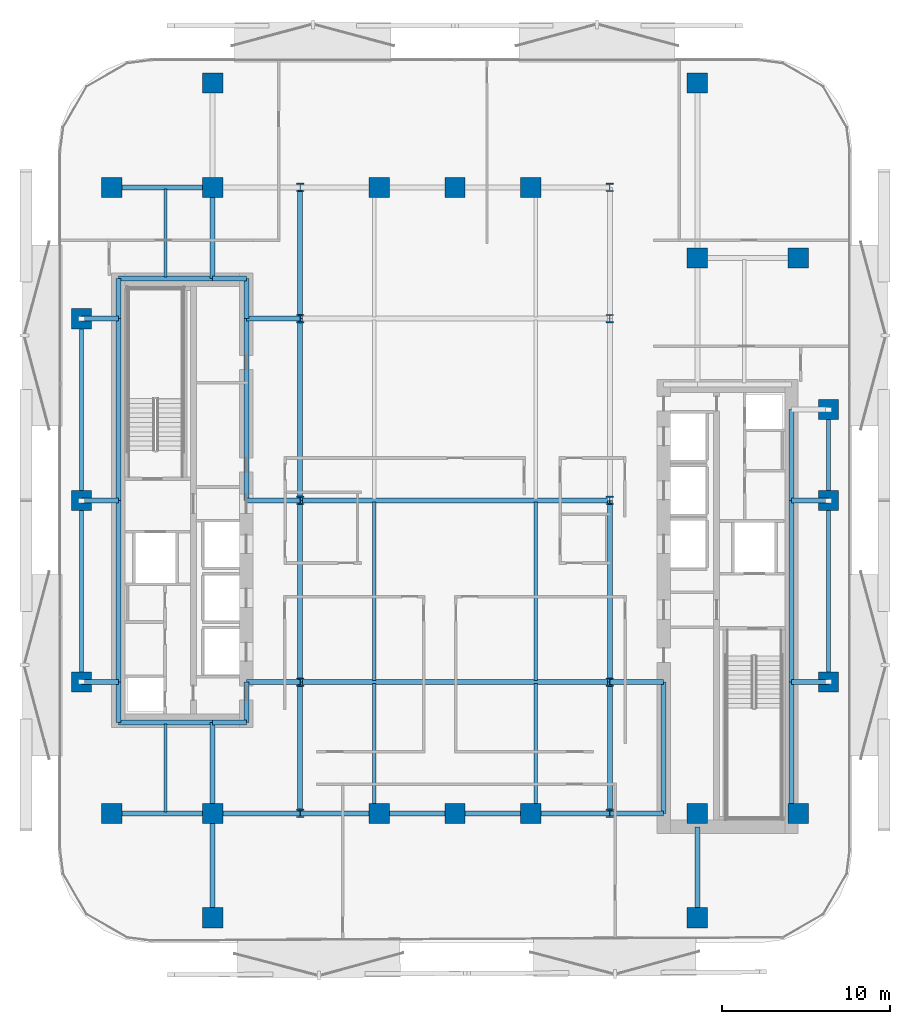
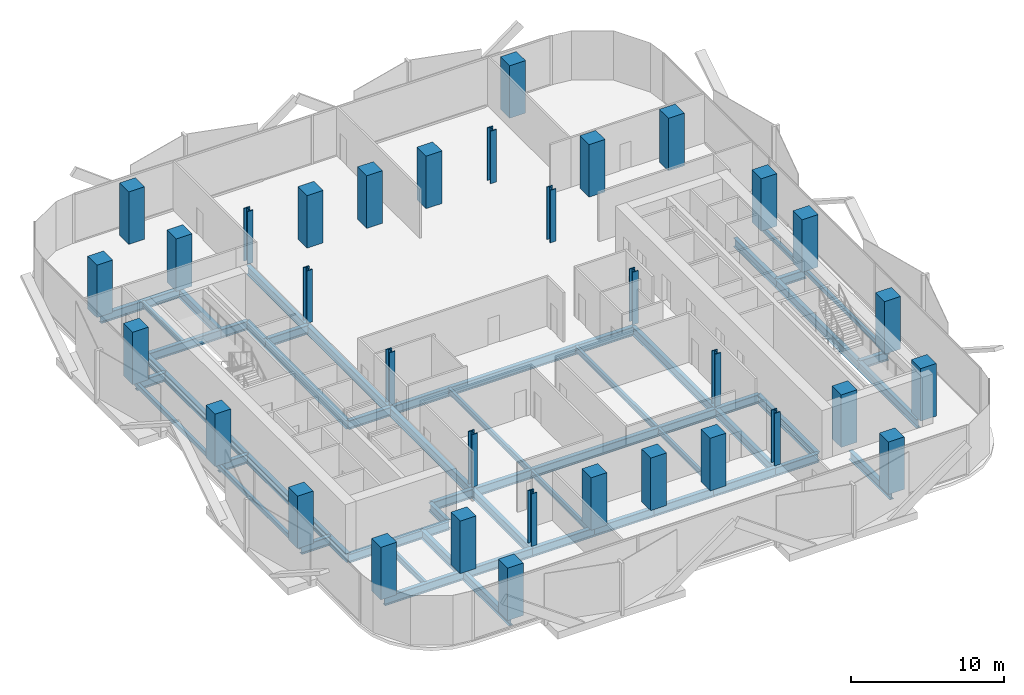
# One storey, part 1 of 15: 54 beams, 34 columns.
"""IFC4 building model written with IfcOpenShell, lengths in metres."""

from ifc_helpers import new_model, si_unit, direction, frame, origin, origin_2d, place, context, subcontext, project, spatial, rectangle, hollow_rectangle, i_section, extrude, material, material_profile, profile_set, type_object, element, save


model = new_model("IFC4")

# Units and contexts
model_context = context("Model", 3, precision=1e-05, world=origin(), true_north=direction((0.0, 1.0)))
body_context = subcontext(model_context, "Body", "Model", "MODEL_VIEW")
ifc_project = project(units=[si_unit("LENGTHUNIT", "METRE"), si_unit("AREAUNIT", "SQUARE_METRE"), si_unit("VOLUMEUNIT", "CUBIC_METRE"), si_unit("PLANEANGLEUNIT", "RADIAN"), si_unit("MASSUNIT", "GRAM", prefix="KILO")], contexts=[model_context])

# Site, building, storey
site_placement = place(None, origin())
site = spatial("IfcSite", under=ifc_project, at=site_placement, CompositionType="ELEMENT")
building_placement = place(site_placement, origin())
building = spatial("IfcBuilding", under=site, at=building_placement, Name="Khairoan Windgate Tower", CompositionType="ELEMENT")
storey_placement = place(building_placement, frame((0.0, 0.0, 126.800048828125)))
storey = spatial("IfcBuildingStorey", under=building, at=storey_placement, Name="L29", CompositionType="ELEMENT", Elevation=126.800048828125)

# Columns
ifc_material_1 = material(Name="Concrete C60/75", Category="concrete")
ifc_material_profile_1 = material_profile(ifc_material_1, rectangle(XDim=1.199951171875, YDim=1.199951171875, at=origin_2d()))
ifc_profile_set_1 = profile_set([ifc_material_profile_1], Name="Concrete C60/75")
column_type_1 = type_object("IfcColumnType", Name="Column C-T3 RC1200x1200", PredefinedType="COLUMN", material=ifc_profile_set_1)
for number, where, z_axis, x_axis, name in (
    (1, (-20.39990234375, -18.60009765625, 0.0), (0.0, 0.0, 1.0), (1.0, 0.0, 0.0), "Column L29-11"),
    (2, (-20.39990234375, 18.60009765625, 0.0), (0.0, 0.0, 1.0), (1.0, 0.0, 0.0), "Column L29-12"),
    (3, (20.39990234375, -18.60009765625, 0.0), (0.0, 0.0, 1.0), (1.0, 0.0, 0.0), "Column L29-13"),
    (4, (20.39990234375, 14.39990234375, 0.0), (0.0, 0.0, 1.0), (1.0, 0.0, 0.0), "Column L29-14"),
    (5, (-14.39990234375, -18.60009765625, 0.0), (0.0, 0.0, 1.0), (1.0, 0.0, 0.0), "Column L29-15"),
    (6, (-14.39990234375, 18.60009765625, 0.0), (0.0, 0.0, 1.0), (1.0, 0.0, 0.0), "Column L29-16"),
    (7, (14.39990234375, -18.60009765625, 0.0), (0.0, 0.0, 1.0), (1.0, 0.0, 0.0), "Column L29-17"),
    (8, (14.39990234375, 14.39990234375, 0.0), (0.0, 0.0, 1.0), (1.0, 0.0, 0.0), "Column L29-18"),
    (9, (-4.5, -18.60009765625, 0.0), (0.0, 0.0, 1.0), (1.0, 0.0, 0.0), "Column L29-19"),
    (10, (0.0, -18.60009765625, 0.0), (0.0, 0.0, 1.0), (1.0, 0.0, 0.0), "Column L29-20"),
    (11, (4.5, -18.60009765625, 0.0), (0.0, 0.0, 1.0), (1.0, 0.0, 0.0), "Column L29-21"),
    (12, (-4.5, 18.60009765625, 0.0), (0.0, 0.0, 1.0), (1.0, 0.0, 0.0), "Column L29-22"),
    (13, (0.0, 18.60009765625, 0.0), (0.0, 0.0, 1.0), (1.0, 0.0, 0.0), "Column L29-23"),
    (14, (4.5, 18.60009765625, 0.0), (0.0, 0.0, 1.0), (1.0, 0.0, 0.0), "Column L29-24"),
    (15, (-22.199951171875, -10.800048828125, 0.0), (0.0, 0.0, 1.0), (1.0, 0.0, 0.0), "Column L29-25"),
    (16, (-22.199951171875, 0.0, 0.0), (0.0, 0.0, 1.0), (1.0, 0.0, 0.0), "Column L29-26"),
    (17, (-22.199951171875, 10.800048828125, 0.0), (0.0, 0.0, 1.0), (1.0, 0.0, 0.0), "Column L29-27"),
    (18, (22.199951171875, -10.800048828125, 0.0), (0.0, 0.0, 1.0), (1.0, 0.0, 0.0), "Column L29-28"),
    (19, (22.199951171875, 0.0, 0.0), (0.0, 0.0, 1.0), (1.0, 0.0, 0.0), "Column L29-29"),
    (20, (22.199951171875, 5.39990234375, 0.0), (0.0, 0.0, 1.0), (1.0, 0.0, 0.0), "Column L29-30"),
    (21, (-14.39990234375, -24.800048828125, 0.0), (0.0, 0.0, 1.0), (1.0, 0.0, 0.0), "Column L29-31"),
    (22, (-14.39990234375, 24.800048828125, 0.0), (0.0, 0.0, 1.0), (1.0, 0.0, 0.0), "Column L29-32"),
    (23, (14.39990234375, -24.800048828125, 0.0), (0.0, 0.0, 1.0), (1.0, 0.0, 0.0), "Column L29-33"),
    (24, (14.39990234375, 24.800048828125, 0.0), (0.0, 0.0, 1.0), (1.0, 0.0, 0.0), "Column L29-34"),
):
    element("IfcColumn", number, at=place(storey_placement, frame(where, z_axis=z_axis, x_axis=x_axis)), inside=storey, type_object=column_type_1, Name=name, PredefinedType="COLUMN", context=body_context, shape_type="SweptSolid", body=[
        extrude(rectangle(XDim=1.199951171875, YDim=1.199951171875, at=origin_2d()), origin(), (0.0, 0.0, 1.0), 4.199951171875),
    ])
ifc_material_2 = material(Name="Steel S355", Category="steel")
ifc_material_profile_2 = material_profile(ifc_material_2, i_section(OverallWidth=0.431884765625, OverallDepth=0.498046875, WebThickness=0.044921875, FlangeThickness=0.070068359375, FilletRadius=0.02197265625, at=origin_2d()))
ifc_profile_set_2 = profile_set([ifc_material_profile_2], Name="Steel S355")
column_type_2 = type_object("IfcColumnType", Name="Steel Column SC1 H498x432x45x70", PredefinedType="COLUMN", material=ifc_profile_set_2)
for number, where, z_axis, x_axis, name in (
    (25, (-9.199951171875, -18.60009765625, 0.0), (0.0, 0.0, 1.0), (1.0, 0.0, 0.0), "Column L29-01"),
    (26, (-9.199951171875, -10.800048828125, 0.0), (0.0, 0.0, 1.0), (1.0, 0.0, 0.0), "Column L29-02"),
    (27, (-9.199951171875, 0.0, 0.0), (0.0, 0.0, 1.0), (1.0, 0.0, 0.0), "Column L29-03"),
    (28, (-9.199951171875, 10.800048828125, 0.0), (0.0, 0.0, 1.0), (1.0, 0.0, 0.0), "Column L29-04"),
    (29, (-9.199951171875, 18.60009765625, 0.0), (0.0, 0.0, 1.0), (1.0, 0.0, 0.0), "Column L29-05"),
    (30, (9.199951171875, -18.60009765625, 0.0), (0.0, 0.0, 1.0), (1.0, 0.0, 0.0), "Column L29-06"),
    (31, (9.199951171875, -10.800048828125, 0.0), (0.0, 0.0, 1.0), (1.0, 0.0, 0.0), "Column L29-07"),
    (32, (9.199951171875, 0.0, 0.0), (0.0, 0.0, 1.0), (1.0, 0.0, 0.0), "Column L29-08"),
    (33, (9.199951171875, 10.800048828125, 0.0), (0.0, 0.0, 1.0), (1.0, 0.0, 0.0), "Column L29-09"),
    (34, (9.199951171875, 18.60009765625, 0.0), (0.0, 0.0, 1.0), (1.0, 0.0, 0.0), "Column L29-10"),
):
    element("IfcColumn", number, at=place(storey_placement, frame(where, z_axis=z_axis, x_axis=x_axis)), inside=storey, type_object=column_type_2, Name=name, PredefinedType="COLUMN", context=body_context, shape_type="SweptSolid", body=[
        extrude(i_section(OverallWidth=0.431884765625, OverallDepth=0.498046875, WebThickness=0.044921875, FlangeThickness=0.070068359375, FilletRadius=0.02197265625, at=origin_2d()), origin(), (0.0, 0.0, 1.0), 4.199951171875),
    ])

# Beams
ifc_material_3 = material(Name="Steel S355", Category="steel")
ifc_material_profile_3 = material_profile(ifc_material_3, i_section(OverallWidth=0.300048828125, OverallDepth=0.699951171875, WebThickness=0.012939453125, FlangeThickness=0.02392578125, FilletRadius=0.02587890625, at=origin_2d()))
ifc_profile_set_3 = profile_set([ifc_material_profile_3], Name="Steel S355")
beam_type_1 = type_object("IfcBeamType", Name="Beam B-G3 H700x300x13x24", PredefinedType="BEAM", material=ifc_profile_set_3)
beam_1_placement = place(storey_placement, frame((-20.39990234375, -18.60009765625, -0.610107421875), z_axis=(1.0, 0.0, 0.0), x_axis=(0.0, 1.0, 0.0)))
element("IfcBeam", 35, at=beam_1_placement, inside=storey, type_object=beam_type_1, Name="L29 E-W Primary Girder 01", PredefinedType="BEAM", context=body_context, shape_type="SweptSolid", body=[
    extrude(i_section(OverallWidth=0.300048828125, OverallDepth=0.699951171875, WebThickness=0.012939453125, FlangeThickness=0.02392578125, FilletRadius=0.02587890625, at=origin_2d()), origin(), (0.0, 0.0, 1.0), 6.0),
])
beam_2_placement = place(storey_placement, frame((-14.39990234375, -18.60009765625, -0.610107421875), z_axis=(1.0, 0.0, 0.0), x_axis=(0.0, 1.0, 0.0)))
element("IfcBeam", 36, at=beam_2_placement, inside=storey, type_object=beam_type_1, Name="L29 E-W Primary Girder 02", PredefinedType="BEAM", context=body_context, shape_type="SweptSolid", body=[
    extrude(i_section(OverallWidth=0.300048828125, OverallDepth=0.699951171875, WebThickness=0.012939453125, FlangeThickness=0.02392578125, FilletRadius=0.02587890625, at=origin_2d()), origin(), (0.0, 0.0, 1.0), 5.199951171875),
])
beam_3_placement = place(storey_placement, frame((-9.199951171875, -18.60009765625, -0.610107421875), z_axis=(1.0, 0.0, 0.0), x_axis=(0.0, 1.0, 0.0)))
element("IfcBeam", 37, at=beam_3_placement, inside=storey, type_object=beam_type_1, Name="L29 E-W Primary Girder 03", PredefinedType="BEAM", context=body_context, shape_type="SweptSolid", body=[
    extrude(i_section(OverallWidth=0.300048828125, OverallDepth=0.699951171875, WebThickness=0.012939453125, FlangeThickness=0.02392578125, FilletRadius=0.02587890625, at=origin_2d()), origin(), (0.0, 0.0, 1.0), 4.699951171875),
])
for number, where, z_axis, x_axis, name in (
    (38, (-4.5, -18.60009765625, -0.610107421875), (1.0, 0.0, 0.0), (0.0, 1.0, 0.0), "L29 E-W Primary Girder 04"),
    (39, (0.0, -18.60009765625, -0.610107421875), (1.0, 0.0, 0.0), (0.0, 1.0, 0.0), "L29 E-W Primary Girder 05"),
):
    element("IfcBeam", number, at=place(storey_placement, frame(where, z_axis=z_axis, x_axis=x_axis)), inside=storey, type_object=beam_type_1, Name=name, PredefinedType="BEAM", context=body_context, shape_type="SweptSolid", body=[
        extrude(i_section(OverallWidth=0.300048828125, OverallDepth=0.699951171875, WebThickness=0.012939453125, FlangeThickness=0.02392578125, FilletRadius=0.02587890625, at=origin_2d()), origin(), (0.0, 0.0, 1.0), 4.5),
    ])
beam_4_placement = place(storey_placement, frame((4.5, -18.60009765625, -0.610107421875), z_axis=(1.0, 0.0, 0.0), x_axis=(0.0, 1.0, 0.0)))
element("IfcBeam", 40, at=beam_4_placement, inside=storey, type_object=beam_type_1, Name="L29 E-W Primary Girder 06", PredefinedType="BEAM", context=body_context, shape_type="SweptSolid", body=[
    extrude(i_section(OverallWidth=0.300048828125, OverallDepth=0.699951171875, WebThickness=0.012939453125, FlangeThickness=0.02392578125, FilletRadius=0.02587890625, at=origin_2d()), origin(), (0.0, 0.0, 1.0), 4.699951171875),
])
beam_5_placement = place(storey_placement, frame((9.199951171875, -18.60009765625, -0.610107421875), z_axis=(1.0, 0.0, 0.0), x_axis=(0.0, 1.0, 0.0)))
element("IfcBeam", 41, at=beam_5_placement, inside=storey, type_object=beam_type_1, Name="L29 E-W Primary Girder 07", PredefinedType="BEAM", context=body_context, shape_type="SweptSolid", body=[
    extrude(i_section(OverallWidth=0.300048828125, OverallDepth=0.699951171875, WebThickness=0.012939453125, FlangeThickness=0.02392578125, FilletRadius=0.02587890625, at=origin_2d()), origin(), (0.0, 0.0, 1.0), 3.199951171875),
])
beam_6_placement = place(storey_placement, frame((-20.0, -13.199951171875, -0.610107421875), z_axis=(1.0, 0.0, 0.0), x_axis=(0.0, 1.0, 0.0)))
element("IfcBeam", 42, at=beam_6_placement, inside=storey, type_object=beam_type_1, Name="L29 E-W Primary Girder 08", PredefinedType="BEAM", context=body_context, shape_type="SweptSolid", body=[
    extrude(i_section(OverallWidth=0.300048828125, OverallDepth=0.699951171875, WebThickness=0.012939453125, FlangeThickness=0.02392578125, FilletRadius=0.02587890625, at=origin_2d()), origin(), (0.0, 0.0, 1.0), 5.60009765625),
])
beam_7_placement = place(storey_placement, frame((-14.39990234375, -13.199951171875, -0.610107421875), z_axis=(1.0, 0.0, 0.0), x_axis=(0.0, 1.0, 0.0)))
element("IfcBeam", 43, at=beam_7_placement, inside=storey, type_object=beam_type_1, Name="L29 E-W Primary Girder 09", PredefinedType="BEAM", context=body_context, shape_type="SweptSolid", body=[
    extrude(i_section(OverallWidth=0.300048828125, OverallDepth=0.699951171875, WebThickness=0.012939453125, FlangeThickness=0.02392578125, FilletRadius=0.02587890625, at=origin_2d()), origin(), (0.0, 0.0, 1.0), 2.0),
])
beam_8_placement = place(storey_placement, frame((-22.199951171875, -10.800048828125, -0.610107421875), z_axis=(1.0, 0.0, 0.0), x_axis=(0.0, 1.0, 0.0)))
element("IfcBeam", 44, at=beam_8_placement, inside=storey, type_object=beam_type_1, Name="L29 E-W Primary Girder 10", PredefinedType="BEAM", context=body_context, shape_type="SweptSolid", body=[
    extrude(i_section(OverallWidth=0.300048828125, OverallDepth=0.699951171875, WebThickness=0.012939453125, FlangeThickness=0.02392578125, FilletRadius=0.02587890625, at=origin_2d()), origin(), (0.0, 0.0, 1.0), 2.199951171875),
])
beam_9_placement = place(storey_placement, frame((-12.39990234375, -10.800048828125, -0.610107421875), z_axis=(1.0, 0.0, 0.0), x_axis=(0.0, 1.0, 0.0)))
element("IfcBeam", 45, at=beam_9_placement, inside=storey, type_object=beam_type_1, Name="L29 E-W Primary Girder 11", PredefinedType="BEAM", context=body_context, shape_type="SweptSolid", body=[
    extrude(i_section(OverallWidth=0.300048828125, OverallDepth=0.699951171875, WebThickness=0.012939453125, FlangeThickness=0.02392578125, FilletRadius=0.02587890625, at=origin_2d()), origin(), (0.0, 0.0, 1.0), 3.199951171875),
])
beam_10_placement = place(storey_placement, frame((-9.199951171875, -10.800048828125, -0.610107421875), z_axis=(1.0, 0.0, 0.0), x_axis=(0.0, 1.0, 0.0)))
element("IfcBeam", 46, at=beam_10_placement, inside=storey, type_object=beam_type_1, Name="L29 E-W Primary Girder 12", PredefinedType="BEAM", context=body_context, shape_type="SweptSolid", body=[
    extrude(i_section(OverallWidth=0.300048828125, OverallDepth=0.699951171875, WebThickness=0.012939453125, FlangeThickness=0.02392578125, FilletRadius=0.02587890625, at=origin_2d()), origin(), (0.0, 0.0, 1.0), 18.39990234375),
])
beam_11_placement = place(storey_placement, frame((9.199951171875, -10.800048828125, -0.610107421875), z_axis=(1.0, 0.0, 0.0), x_axis=(0.0, 1.0, 0.0)))
element("IfcBeam", 47, at=beam_11_placement, inside=storey, type_object=beam_type_1, Name="L29 E-W Primary Girder 13", PredefinedType="BEAM", context=body_context, shape_type="SweptSolid", body=[
    extrude(i_section(OverallWidth=0.300048828125, OverallDepth=0.699951171875, WebThickness=0.012939453125, FlangeThickness=0.02392578125, FilletRadius=0.02587890625, at=origin_2d()), origin(), (0.0, 0.0, 1.0), 3.199951171875),
])
for number, where, z_axis, x_axis, name in (
    (48, (20.0, -10.800048828125, -0.610107421875), (1.0, 0.0, 0.0), (0.0, 1.0, 0.0), "L29 E-W Primary Girder 14"),
    (49, (-22.199951171875, 0.0, -0.610107421875), (1.0, 0.0, 0.0), (0.0, 1.0, 0.0), "L29 E-W Primary Girder 15"),
):
    element("IfcBeam", number, at=place(storey_placement, frame(where, z_axis=z_axis, x_axis=x_axis)), inside=storey, type_object=beam_type_1, Name=name, PredefinedType="BEAM", context=body_context, shape_type="SweptSolid", body=[
        extrude(i_section(OverallWidth=0.300048828125, OverallDepth=0.699951171875, WebThickness=0.012939453125, FlangeThickness=0.02392578125, FilletRadius=0.02587890625, at=origin_2d()), origin(), (0.0, 0.0, 1.0), 2.199951171875),
    ])
beam_12_placement = place(storey_placement, frame((-12.39990234375, 0.0, -0.610107421875), z_axis=(1.0, 0.0, 0.0), x_axis=(0.0, 1.0, 0.0)))
element("IfcBeam", 50, at=beam_12_placement, inside=storey, type_object=beam_type_1, Name="L29 E-W Primary Girder 16", PredefinedType="BEAM", context=body_context, shape_type="SweptSolid", body=[
    extrude(i_section(OverallWidth=0.300048828125, OverallDepth=0.699951171875, WebThickness=0.012939453125, FlangeThickness=0.02392578125, FilletRadius=0.02587890625, at=origin_2d()), origin(), (0.0, 0.0, 1.0), 3.199951171875),
])
beam_13_placement = place(storey_placement, frame((-9.199951171875, 0.0, -0.610107421875), z_axis=(1.0, 0.0, 0.0), x_axis=(0.0, 1.0, 0.0)))
element("IfcBeam", 51, at=beam_13_placement, inside=storey, type_object=beam_type_1, Name="L29 E-W Primary Girder 17", PredefinedType="BEAM", context=body_context, shape_type="SweptSolid", body=[
    extrude(i_section(OverallWidth=0.300048828125, OverallDepth=0.699951171875, WebThickness=0.012939453125, FlangeThickness=0.02392578125, FilletRadius=0.02587890625, at=origin_2d()), origin(), (0.0, 0.0, 1.0), 18.39990234375),
])
for number, where, z_axis, x_axis, name in (
    (52, (20.0, 0.0, -0.610107421875), (1.0, 0.0, 0.0), (0.0, 1.0, 0.0), "L29 E-W Primary Girder 18"),
    (53, (-22.199951171875, 10.800048828125, -0.610107421875), (1.0, 0.0, 0.0), (0.0, 1.0, 0.0), "L29 E-W Primary Girder 22"),
):
    element("IfcBeam", number, at=place(storey_placement, frame(where, z_axis=z_axis, x_axis=x_axis)), inside=storey, type_object=beam_type_1, Name=name, PredefinedType="BEAM", context=body_context, shape_type="SweptSolid", body=[
        extrude(i_section(OverallWidth=0.300048828125, OverallDepth=0.699951171875, WebThickness=0.012939453125, FlangeThickness=0.02392578125, FilletRadius=0.02587890625, at=origin_2d()), origin(), (0.0, 0.0, 1.0), 2.199951171875),
    ])
beam_14_placement = place(storey_placement, frame((-12.39990234375, 10.800048828125, -0.610107421875), z_axis=(1.0, 0.0, 0.0), x_axis=(0.0, 1.0, 0.0)))
element("IfcBeam", 54, at=beam_14_placement, inside=storey, type_object=beam_type_1, Name="L29 E-W Primary Girder 23", PredefinedType="BEAM", context=body_context, shape_type="SweptSolid", body=[
    extrude(i_section(OverallWidth=0.300048828125, OverallDepth=0.699951171875, WebThickness=0.012939453125, FlangeThickness=0.02392578125, FilletRadius=0.02587890625, at=origin_2d()), origin(), (0.0, 0.0, 1.0), 3.199951171875),
])
beam_15_placement = place(storey_placement, frame((-20.0, 13.199951171875, -0.610107421875), z_axis=(1.0, 0.0, 0.0), x_axis=(0.0, 1.0, 0.0)))
element("IfcBeam", 55, at=beam_15_placement, inside=storey, type_object=beam_type_1, Name="L29 E-W Primary Girder 25", PredefinedType="BEAM", context=body_context, shape_type="SweptSolid", body=[
    extrude(i_section(OverallWidth=0.300048828125, OverallDepth=0.699951171875, WebThickness=0.012939453125, FlangeThickness=0.02392578125, FilletRadius=0.02587890625, at=origin_2d()), origin(), (0.0, 0.0, 1.0), 5.60009765625),
])
beam_16_placement = place(storey_placement, frame((-14.39990234375, 13.199951171875, -0.610107421875), z_axis=(1.0, 0.0, 0.0), x_axis=(0.0, 1.0, 0.0)))
element("IfcBeam", 56, at=beam_16_placement, inside=storey, type_object=beam_type_1, Name="L29 E-W Primary Girder 26", PredefinedType="BEAM", context=body_context, shape_type="SweptSolid", body=[
    extrude(i_section(OverallWidth=0.300048828125, OverallDepth=0.699951171875, WebThickness=0.012939453125, FlangeThickness=0.02392578125, FilletRadius=0.02587890625, at=origin_2d()), origin(), (0.0, 0.0, 1.0), 2.0),
])
beam_17_placement = place(storey_placement, frame((-20.39990234375, 18.60009765625, -0.610107421875), z_axis=(1.0, 0.0, 0.0), x_axis=(0.0, 1.0, 0.0)))
element("IfcBeam", 57, at=beam_17_placement, inside=storey, type_object=beam_type_1, Name="L29 E-W Primary Girder 28", PredefinedType="BEAM", context=body_context, shape_type="SweptSolid", body=[
    extrude(i_section(OverallWidth=0.300048828125, OverallDepth=0.699951171875, WebThickness=0.012939453125, FlangeThickness=0.02392578125, FilletRadius=0.02587890625, at=origin_2d()), origin(), (0.0, 0.0, 1.0), 6.0),
])
beam_18_placement = place(storey_placement, frame((-20.0, -13.199951171875, -0.610107421875), z_axis=(0.0, 1.0, 0.0), x_axis=(-1.0, 0.0, 0.0)))
element("IfcBeam", 58, at=beam_18_placement, inside=storey, type_object=beam_type_1, Name="L29 N-S Primary Beam 36", PredefinedType="BEAM", context=body_context, shape_type="SweptSolid", body=[
    extrude(i_section(OverallWidth=0.300048828125, OverallDepth=0.699951171875, WebThickness=0.012939453125, FlangeThickness=0.02392578125, FilletRadius=0.02587890625, at=origin_2d()), origin(), (0.0, 0.0, 1.0), 2.39990234375),
])
for number, where, z_axis, x_axis, name in (
    (59, (-20.0, -10.800048828125, -0.610107421875), (0.0, 1.0, 0.0), (-1.0, 0.0, 0.0), "L29 N-S Primary Beam 37"),
    (60, (-20.0, 0.0, -0.610107421875), (0.0, 1.0, 0.0), (-1.0, 0.0, 0.0), "L29 N-S Primary Beam 38"),
):
    element("IfcBeam", number, at=place(storey_placement, frame(where, z_axis=z_axis, x_axis=x_axis)), inside=storey, type_object=beam_type_1, Name=name, PredefinedType="BEAM", context=body_context, shape_type="SweptSolid", body=[
        extrude(i_section(OverallWidth=0.300048828125, OverallDepth=0.699951171875, WebThickness=0.012939453125, FlangeThickness=0.02392578125, FilletRadius=0.02587890625, at=origin_2d()), origin(), (0.0, 0.0, 1.0), 10.800048828125),
    ])
beam_19_placement = place(storey_placement, frame((-20.0, 10.800048828125, -0.610107421875), z_axis=(0.0, 1.0, 0.0), x_axis=(-1.0, 0.0, 0.0)))
element("IfcBeam", 61, at=beam_19_placement, inside=storey, type_object=beam_type_1, Name="L29 N-S Primary Beam 39", PredefinedType="BEAM", context=body_context, shape_type="SweptSolid", body=[
    extrude(i_section(OverallWidth=0.300048828125, OverallDepth=0.699951171875, WebThickness=0.012939453125, FlangeThickness=0.02392578125, FilletRadius=0.02587890625, at=origin_2d()), origin(), (0.0, 0.0, 1.0), 2.39990234375),
])
beam_20_placement = place(storey_placement, frame((-14.39990234375, -24.800048828125, -0.610107421875), z_axis=(0.0, 1.0, 0.0), x_axis=(-1.0, 0.0, 0.0)))
element("IfcBeam", 62, at=beam_20_placement, inside=storey, type_object=beam_type_1, Name="L29 N-S Primary Beam 40", PredefinedType="BEAM", context=body_context, shape_type="SweptSolid", body=[
    extrude(i_section(OverallWidth=0.300048828125, OverallDepth=0.699951171875, WebThickness=0.012939453125, FlangeThickness=0.02392578125, FilletRadius=0.02587890625, at=origin_2d()), origin(), (0.0, 0.0, 1.0), 6.199951171875),
])
for number, where, z_axis, x_axis, name in (
    (63, (-14.39990234375, -18.60009765625, -0.610107421875), (0.0, 1.0, 0.0), (-1.0, 0.0, 0.0), "L29 N-S Primary Beam 41"),
    (64, (-14.39990234375, 13.199951171875, -0.610107421875), (0.0, 1.0, 0.0), (-1.0, 0.0, 0.0), "L29 N-S Primary Beam 42"),
):
    element("IfcBeam", number, at=place(storey_placement, frame(where, z_axis=z_axis, x_axis=x_axis)), inside=storey, type_object=beam_type_1, Name=name, PredefinedType="BEAM", context=body_context, shape_type="SweptSolid", body=[
        extrude(i_section(OverallWidth=0.300048828125, OverallDepth=0.699951171875, WebThickness=0.012939453125, FlangeThickness=0.02392578125, FilletRadius=0.02587890625, at=origin_2d()), origin(), (0.0, 0.0, 1.0), 5.400146484375),
    ])
beam_21_placement = place(storey_placement, frame((-12.39990234375, -13.199951171875, -0.610107421875), z_axis=(0.0, 1.0, 0.0), x_axis=(-1.0, 0.0, 0.0)))
element("IfcBeam", 65, at=beam_21_placement, inside=storey, type_object=beam_type_1, Name="L29 N-S Primary Beam 44", PredefinedType="BEAM", context=body_context, shape_type="SweptSolid", body=[
    extrude(i_section(OverallWidth=0.300048828125, OverallDepth=0.699951171875, WebThickness=0.012939453125, FlangeThickness=0.02392578125, FilletRadius=0.02587890625, at=origin_2d()), origin(), (0.0, 0.0, 1.0), 2.39990234375),
])
beam_22_placement = place(storey_placement, frame((-12.39990234375, 0.0, -0.610107421875), z_axis=(0.0, 1.0, 0.0), x_axis=(-1.0, 0.0, 0.0)))
element("IfcBeam", 66, at=beam_22_placement, inside=storey, type_object=beam_type_1, Name="L29 N-S Primary Beam 45", PredefinedType="BEAM", context=body_context, shape_type="SweptSolid", body=[
    extrude(i_section(OverallWidth=0.300048828125, OverallDepth=0.699951171875, WebThickness=0.012939453125, FlangeThickness=0.02392578125, FilletRadius=0.02587890625, at=origin_2d()), origin(), (0.0, 0.0, 1.0), 10.800048828125),
])
beam_23_placement = place(storey_placement, frame((-12.39990234375, 10.800048828125, -0.610107421875), z_axis=(0.0, 1.0, 0.0), x_axis=(-1.0, 0.0, 0.0)))
element("IfcBeam", 67, at=beam_23_placement, inside=storey, type_object=beam_type_1, Name="L29 N-S Primary Beam 46", PredefinedType="BEAM", context=body_context, shape_type="SweptSolid", body=[
    extrude(i_section(OverallWidth=0.300048828125, OverallDepth=0.699951171875, WebThickness=0.012939453125, FlangeThickness=0.02392578125, FilletRadius=0.02587890625, at=origin_2d()), origin(), (0.0, 0.0, 1.0), 2.39990234375),
])
beam_24_placement = place(storey_placement, frame((-9.199951171875, -18.60009765625, -0.610107421875), z_axis=(0.0, 1.0, 0.0), x_axis=(-1.0, 0.0, 0.0)))
element("IfcBeam", 68, at=beam_24_placement, inside=storey, type_object=beam_type_1, Name="L29 N-S Primary Beam 47", PredefinedType="BEAM", context=body_context, shape_type="SweptSolid", body=[
    extrude(i_section(OverallWidth=0.300048828125, OverallDepth=0.699951171875, WebThickness=0.012939453125, FlangeThickness=0.02392578125, FilletRadius=0.02587890625, at=origin_2d()), origin(), (0.0, 0.0, 1.0), 7.800048828125),
])
for number, where, z_axis, x_axis, name in (
    (69, (-9.199951171875, -10.800048828125, -0.610107421875), (0.0, 1.0, 0.0), (-1.0, 0.0, 0.0), "L29 N-S Primary Beam 48"),
    (70, (-9.199951171875, 0.0, -0.610107421875), (0.0, 1.0, 0.0), (-1.0, 0.0, 0.0), "L29 N-S Primary Beam 49"),
):
    element("IfcBeam", number, at=place(storey_placement, frame(where, z_axis=z_axis, x_axis=x_axis)), inside=storey, type_object=beam_type_1, Name=name, PredefinedType="BEAM", context=body_context, shape_type="SweptSolid", body=[
        extrude(i_section(OverallWidth=0.300048828125, OverallDepth=0.699951171875, WebThickness=0.012939453125, FlangeThickness=0.02392578125, FilletRadius=0.02587890625, at=origin_2d()), origin(), (0.0, 0.0, 1.0), 10.800048828125),
    ])
for number, where, z_axis, x_axis, name in (
    (71, (-9.199951171875, 10.800048828125, -0.610107421875), (0.0, 1.0, 0.0), (-1.0, 0.0, 0.0), "L29 N-S Primary Beam 50"),
    (72, (9.199951171875, -18.60009765625, -0.610107421875), (0.0, 1.0, 0.0), (-1.0, 0.0, 0.0), "L29 N-S Primary Beam 51"),
):
    element("IfcBeam", number, at=place(storey_placement, frame(where, z_axis=z_axis, x_axis=x_axis)), inside=storey, type_object=beam_type_1, Name=name, PredefinedType="BEAM", context=body_context, shape_type="SweptSolid", body=[
        extrude(i_section(OverallWidth=0.300048828125, OverallDepth=0.699951171875, WebThickness=0.012939453125, FlangeThickness=0.02392578125, FilletRadius=0.02587890625, at=origin_2d()), origin(), (0.0, 0.0, 1.0), 7.800048828125),
    ])
beam_25_placement = place(storey_placement, frame((9.199951171875, -10.800048828125, -0.610107421875), z_axis=(0.0, 1.0, 0.0), x_axis=(-1.0, 0.0, 0.0)))
element("IfcBeam", 73, at=beam_25_placement, inside=storey, type_object=beam_type_1, Name="L29 N-S Primary Beam 52", PredefinedType="BEAM", context=body_context, shape_type="SweptSolid", body=[
    extrude(i_section(OverallWidth=0.300048828125, OverallDepth=0.699951171875, WebThickness=0.012939453125, FlangeThickness=0.02392578125, FilletRadius=0.02587890625, at=origin_2d()), origin(), (0.0, 0.0, 1.0), 10.800048828125),
])
beam_26_placement = place(storey_placement, frame((12.39990234375, -18.60009765625, -0.610107421875), z_axis=(0.0, 1.0, 0.0), x_axis=(-1.0, 0.0, 0.0)))
element("IfcBeam", 74, at=beam_26_placement, inside=storey, type_object=beam_type_1, Name="L29 N-S Primary Beam 55", PredefinedType="BEAM", context=body_context, shape_type="SweptSolid", body=[
    extrude(i_section(OverallWidth=0.300048828125, OverallDepth=0.699951171875, WebThickness=0.012939453125, FlangeThickness=0.02392578125, FilletRadius=0.02587890625, at=origin_2d()), origin(), (0.0, 0.0, 1.0), 7.800048828125),
])
beam_27_placement = place(storey_placement, frame((14.39990234375, -24.800048828125, -0.610107421875), z_axis=(0.0, 1.0, 0.0), x_axis=(-1.0, 0.0, 0.0)))
element("IfcBeam", 75, at=beam_27_placement, inside=storey, type_object=beam_type_1, Name="L29 N-S Primary Beam 56", PredefinedType="BEAM", context=body_context, shape_type="SweptSolid", body=[
    extrude(i_section(OverallWidth=0.300048828125, OverallDepth=0.699951171875, WebThickness=0.012939453125, FlangeThickness=0.02392578125, FilletRadius=0.02587890625, at=origin_2d()), origin(), (0.0, 0.0, 1.0), 5.400146484375),
])
beam_28_placement = place(storey_placement, frame((20.0, -18.60009765625, -0.610107421875), z_axis=(0.0, 1.0, 0.0), x_axis=(-1.0, 0.0, 0.0)))
element("IfcBeam", 76, at=beam_28_placement, inside=storey, type_object=beam_type_1, Name="L29 N-S Primary Beam 59", PredefinedType="BEAM", context=body_context, shape_type="SweptSolid", body=[
    extrude(i_section(OverallWidth=0.300048828125, OverallDepth=0.699951171875, WebThickness=0.012939453125, FlangeThickness=0.02392578125, FilletRadius=0.02587890625, at=origin_2d()), origin(), (0.0, 0.0, 1.0), 7.800048828125),
])
beam_29_placement = place(storey_placement, frame((20.0, -10.800048828125, -0.610107421875), z_axis=(0.0, 1.0, 0.0), x_axis=(-1.0, 0.0, 0.0)))
element("IfcBeam", 77, at=beam_29_placement, inside=storey, type_object=beam_type_1, Name="L29 N-S Primary Beam 60", PredefinedType="BEAM", context=body_context, shape_type="SweptSolid", body=[
    extrude(i_section(OverallWidth=0.300048828125, OverallDepth=0.699951171875, WebThickness=0.012939453125, FlangeThickness=0.02392578125, FilletRadius=0.02587890625, at=origin_2d()), origin(), (0.0, 0.0, 1.0), 10.800048828125),
])
beam_30_placement = place(storey_placement, frame((20.0, 0.0, -0.610107421875), z_axis=(0.0, 1.0, 0.0), x_axis=(-1.0, 0.0, 0.0)))
element("IfcBeam", 78, at=beam_30_placement, inside=storey, type_object=beam_type_1, Name="L29 N-S Primary Beam 61", PredefinedType="BEAM", context=body_context, shape_type="SweptSolid", body=[
    extrude(i_section(OverallWidth=0.300048828125, OverallDepth=0.699951171875, WebThickness=0.012939453125, FlangeThickness=0.02392578125, FilletRadius=0.02587890625, at=origin_2d()), origin(), (0.0, 0.0, 1.0), 5.39990234375),
])
ifc_material_4 = material(Name="Steel S355", Category="steel")
ifc_material_profile_4 = material_profile(ifc_material_4, i_section(OverallWidth=0.199951171875, OverallDepth=0.449951171875, WebThickness=0.009033203125, FlangeThickness=0.013916015625, FilletRadius=0.01806640625, at=origin_2d()))
ifc_profile_set_4 = profile_set([ifc_material_profile_4], Name="Steel S355")
beam_type_2 = type_object("IfcBeamType", Name="Beam J-S3 H450x200x9x14", PredefinedType="JOIST", material=ifc_profile_set_4)
for number, where, z_axis, x_axis, name in (
    (79, (-17.199951171875, -18.510009765625, -0.485107421875), (0.0, 1.0, 0.0), (-1.0, 0.0, 0.0), "L29 Secondary Floor Joist 01"),
    (80, (-17.199951171875, 13.2900390625, -0.485107421875), (0.0, 1.0, 0.0), (-1.0, 0.0, 0.0), "L29 Secondary Floor Joist 02"),
):
    element("IfcBeam", number, at=place(storey_placement, frame(where, z_axis=z_axis, x_axis=x_axis)), inside=storey, type_object=beam_type_2, Name=name, PredefinedType="JOIST", context=body_context, shape_type="SweptSolid", body=[
        extrude(i_section(OverallWidth=0.199951171875, OverallDepth=0.449951171875, WebThickness=0.009033203125, FlangeThickness=0.013916015625, FilletRadius=0.01806640625, at=origin_2d()), origin(), (0.0, 0.0, 1.0), 5.219970703125),
    ])
beam_31_placement = place(storey_placement, frame((-4.800048828125, -18.510009765625, -0.485107421875), z_axis=(0.0, 1.0, 0.0), x_axis=(-1.0, 0.0, 0.0)))
element("IfcBeam", 81, at=beam_31_placement, inside=storey, type_object=beam_type_2, Name="L29 Secondary Floor Joist 03", PredefinedType="JOIST", context=body_context, shape_type="SweptSolid", body=[
    extrude(i_section(OverallWidth=0.199951171875, OverallDepth=0.449951171875, WebThickness=0.009033203125, FlangeThickness=0.013916015625, FilletRadius=0.01806640625, at=origin_2d()), origin(), (0.0, 0.0, 1.0), 7.6201171875),
])
beam_32_placement = place(storey_placement, frame((-4.800048828125, -10.7099609375, -0.485107421875), z_axis=(0.0, 1.0, 0.0), x_axis=(-1.0, 0.0, 0.0)))
element("IfcBeam", 82, at=beam_32_placement, inside=storey, type_object=beam_type_2, Name="L29 Secondary Floor Joist 04", PredefinedType="JOIST", context=body_context, shape_type="SweptSolid", body=[
    extrude(i_section(OverallWidth=0.199951171875, OverallDepth=0.449951171875, WebThickness=0.009033203125, FlangeThickness=0.013916015625, FilletRadius=0.01806640625, at=origin_2d()), origin(), (0.0, 0.0, 1.0), 10.619873046875),
])
beam_33_placement = place(storey_placement, frame((4.800048828125, -18.510009765625, -0.485107421875), z_axis=(0.0, 1.0, 0.0), x_axis=(-1.0, 0.0, 0.0)))
element("IfcBeam", 83, at=beam_33_placement, inside=storey, type_object=beam_type_2, Name="L29 Secondary Floor Joist 07", PredefinedType="JOIST", context=body_context, shape_type="SweptSolid", body=[
    extrude(i_section(OverallWidth=0.199951171875, OverallDepth=0.449951171875, WebThickness=0.009033203125, FlangeThickness=0.013916015625, FilletRadius=0.01806640625, at=origin_2d()), origin(), (0.0, 0.0, 1.0), 7.6201171875),
])
beam_34_placement = place(storey_placement, frame((4.800048828125, -10.7099609375, -0.485107421875), z_axis=(0.0, 1.0, 0.0), x_axis=(-1.0, 0.0, 0.0)))
element("IfcBeam", 84, at=beam_34_placement, inside=storey, type_object=beam_type_2, Name="L29 Secondary Floor Joist 08", PredefinedType="JOIST", context=body_context, shape_type="SweptSolid", body=[
    extrude(i_section(OverallWidth=0.199951171875, OverallDepth=0.449951171875, WebThickness=0.009033203125, FlangeThickness=0.013916015625, FilletRadius=0.01806640625, at=origin_2d()), origin(), (0.0, 0.0, 1.0), 10.619873046875),
])
ifc_material_5 = material(Name="Steel S355", Category="steel")
ifc_material_profile_5 = material_profile(ifc_material_5, hollow_rectangle(XDim=0.25, YDim=0.35009765625, WallThickness=0.012451171875, InnerFilletRadius=0.012451171875, OuterFilletRadius=0.02490234375, at=origin_2d()))
ifc_profile_set_5 = profile_set([ifc_material_profile_5], Name="Steel S355")
beam_type_3 = type_object("IfcBeamType", Name="Beam SP-B2 RHS350x250x12.5", PredefinedType="SPANDREL", material=ifc_profile_set_5)
for number, where, z_axis, x_axis, name in (
    (85, (-22.199951171875, -10.800048828125, -0.43505859375), (0.0, 1.0, 0.0), (-1.0, 0.0, 0.0), "L29 Spandrel Beam 34"),
    (86, (-22.199951171875, 0.0, -0.43505859375), (0.0, 1.0, 0.0), (-1.0, 0.0, 0.0), "L29 Spandrel Beam 35"),
    (87, (22.199951171875, -10.800048828125, -0.43505859375), (0.0, 1.0, 0.0), (-1.0, 0.0, 0.0), "L29 Spandrel Beam 62"),
):
    element("IfcBeam", number, at=place(storey_placement, frame(where, z_axis=z_axis, x_axis=x_axis)), inside=storey, type_object=beam_type_3, Name=name, PredefinedType="SPANDREL", context=body_context, shape_type="SweptSolid", body=[
        extrude(hollow_rectangle(XDim=0.25, YDim=0.35009765625, WallThickness=0.012451171875, InnerFilletRadius=0.012451171875, OuterFilletRadius=0.02490234375, at=origin_2d()), origin(), (0.0, 0.0, 1.0), 10.800048828125),
    ])
beam_35_placement = place(storey_placement, frame((22.199951171875, 0.0, -0.43505859375), z_axis=(0.0, 1.0, 0.0), x_axis=(-1.0, 0.0, 0.0)))
element("IfcBeam", 88, at=beam_35_placement, inside=storey, type_object=beam_type_3, Name="L29 Spandrel Beam 63", PredefinedType="SPANDREL", context=body_context, shape_type="SweptSolid", body=[
    extrude(hollow_rectangle(XDim=0.25, YDim=0.35009765625, WallThickness=0.012451171875, InnerFilletRadius=0.012451171875, OuterFilletRadius=0.02490234375, at=origin_2d()), origin(), (0.0, 0.0, 1.0), 5.39990234375),
])

save(model, "model.ifc")
